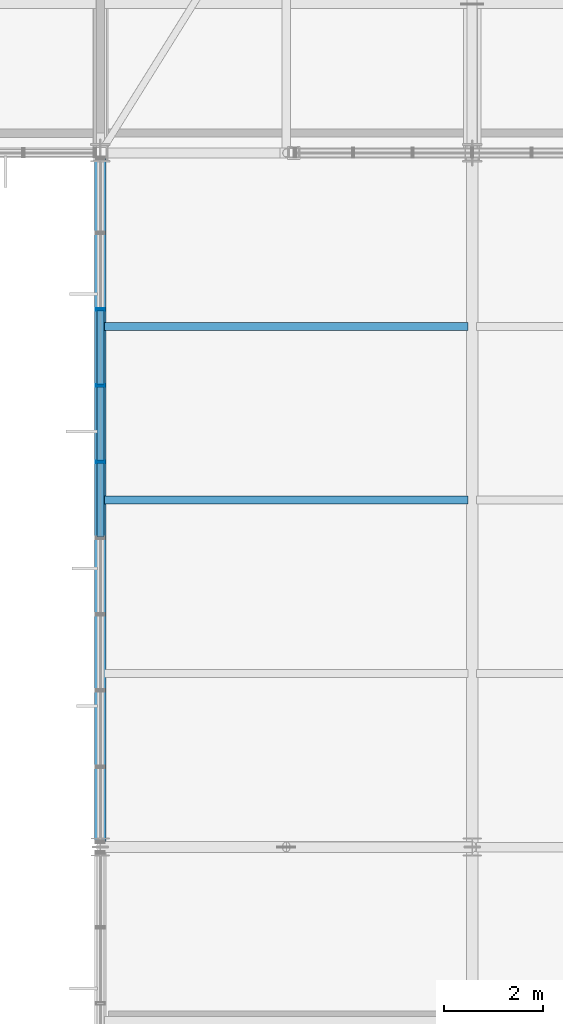
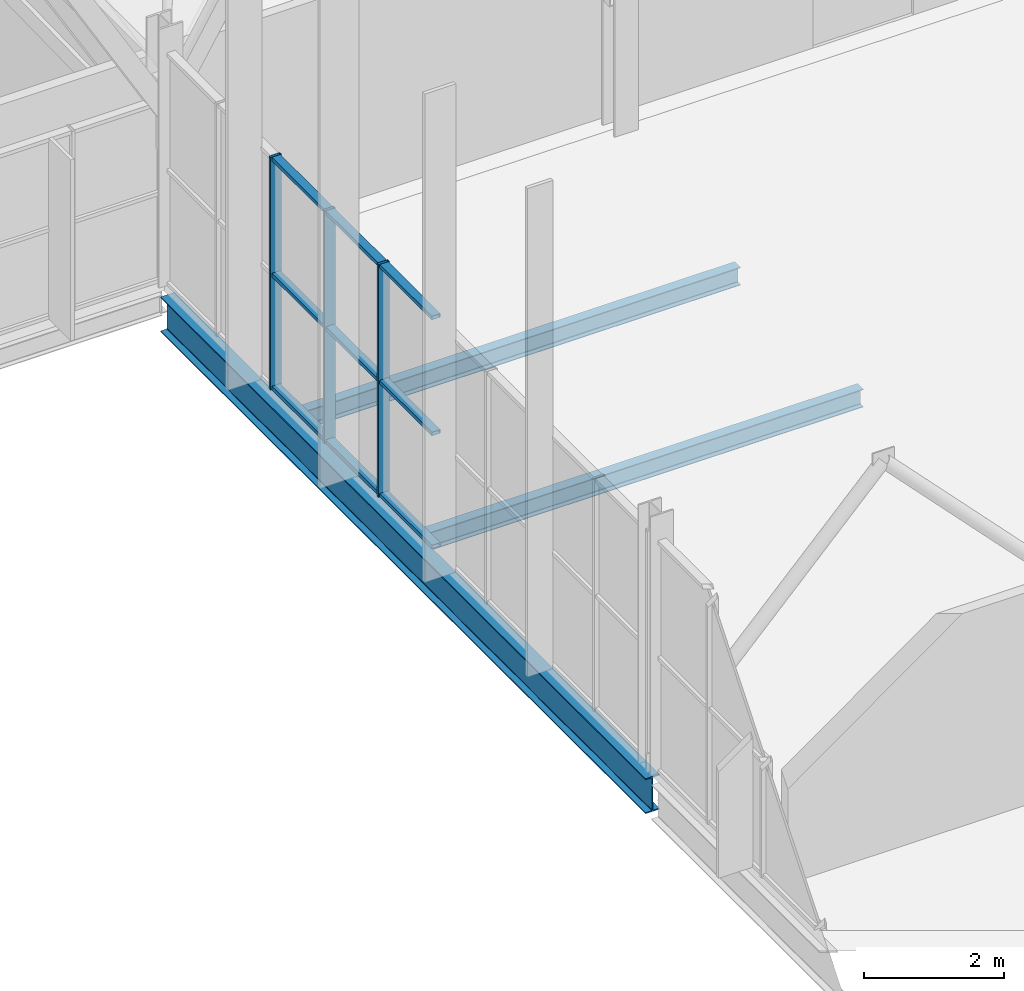
# One storey, part 78 of 324: 12 members, 3 beams, 1 element without a shape of its own.
"""IFC4 building model written with IfcOpenShell, lengths in metres."""

from ifc_helpers import new_model, si_unit, direction, frame, origin, origin_2d, place, context, subcontext, project, spatial, hollow_rectangle, i_section, extrude, material, layer, layer_set, material_profile, profile_set, type_object, element, aggregate, save


model = new_model("IFC4")

# Units and contexts
model_context = context("Model", 3, precision=1e-05, world=origin(), true_north=direction((0.0, 1.0)))
body_context = subcontext(model_context, "Body", "Model", "MODEL_VIEW")
ifc_project = project(units=[si_unit("LENGTHUNIT", "METRE"), si_unit("AREAUNIT", "SQUARE_METRE"), si_unit("VOLUMEUNIT", "CUBIC_METRE"), si_unit("PLANEANGLEUNIT", "RADIAN"), si_unit("MASSUNIT", "GRAM", prefix="KILO")], contexts=[model_context])

# Site, building, storey
site_placement = place(None, origin())
site = spatial("IfcSite", under=ifc_project, at=site_placement, CompositionType="ELEMENT")
building_placement = place(site_placement, origin())
building = spatial("IfcBuilding", under=site, at=building_placement, Name="Solvenia Promenade Tram Depot", CompositionType="ELEMENT")
storey_placement = place(building_placement, frame((0.0, 0.0, 4.5)))
storey = spatial("IfcBuildingStorey", under=building, at=storey_placement, Name="L01", CompositionType="ELEMENT", Elevation=4.5)

# Curtain wall, members
ifc_material_1 = material(Name="Anodized aluminium AW-6063 T6", Category="aluminium")
ifc_layer = layer(ifc_material_1, 0.14990234375, Name="Anodized aluminium AW-6063 T6", Category="aluminium")
ifc_layer_set = layer_set([ifc_layer], Name="Anodized aluminium AW-6063 T6")
curtain_wall_type = type_object("IfcCurtainWallType", Name="CW-Court-1500", PredefinedType="NOTDEFINED", material=ifc_layer_set)
curtain_wall_placement = place(storey_placement, origin())
curtain_wall = element("IfcCurtainWall", 1, at=curtain_wall_placement, inside=storey, type_object=curtain_wall_type, Name="Curtain Wall CW-V2W-L1-2", PredefinedType="NOTDEFINED")
ifc_material_profile_1 = material_profile(ifc_material_1, hollow_rectangle(XDim=0.179931640625, YDim=0.050048828125, WallThickness=0.00390625, at=origin_2d()), Name="ALU-M2", Category="aluminium")
ifc_profile_set_1 = profile_set([ifc_material_profile_1], Name="Anodized aluminium AW-6063 T6")
member_type_1 = type_object("IfcMemberType", Name="CWM-Mullion-2", PredefinedType="MULLION", material=ifc_profile_set_1)
member_1_placement = place(storey_placement, frame((105.0, 59.768798828125, 0.0), z_axis=(0.0, 0.0, 1.0), x_axis=(-1.0, 0.0, 0.0)))
member_1 = element("IfcMember", 2, at=member_1_placement, type_object=member_type_1, Name="CW-5 mullion 6", PredefinedType="MULLION", context=body_context, shape_type="SweptSolid", body=[
    extrude(hollow_rectangle(XDim=0.179931640625, YDim=0.050048828125, WallThickness=0.00390625, at=origin_2d()), origin(), (0.0, 0.0, 1.0), 4.050048828125),
])
member_2_placement = place(storey_placement, frame((105.0, 61.306640625, 0.0), z_axis=(0.0, 0.0, 1.0), x_axis=(-1.0, 0.0, 0.0)))
member_2 = element("IfcMember", 3, at=member_2_placement, type_object=member_type_1, Name="CW-5 mullion 7", PredefinedType="MULLION", context=body_context, shape_type="SweptSolid", body=[
    extrude(hollow_rectangle(XDim=0.179931640625, YDim=0.050048828125, WallThickness=0.00390625, at=origin_2d()), origin(), (0.0, 0.0, 1.0), 4.050048828125),
])
member_3_placement = place(storey_placement, frame((105.0, 62.844482421875, 0.0), z_axis=(0.0, 0.0, 1.0), x_axis=(-1.0, 0.0, 0.0)))
member_3 = element("IfcMember", 4, at=member_3_placement, type_object=member_type_1, Name="CW-5 mullion 8", PredefinedType="MULLION", context=body_context, shape_type="SweptSolid", body=[
    extrude(hollow_rectangle(XDim=0.179931640625, YDim=0.050048828125, WallThickness=0.00390625, at=origin_2d()), origin(), (0.0, 0.0, 1.0), 4.050048828125),
])
ifc_material_profile_2 = material_profile(ifc_material_1, hollow_rectangle(XDim=0.139892578125, YDim=0.06494140625, WallThickness=0.00390625, at=origin_2d()), Name="ALU-T2", Category="aluminium")
ifc_profile_set_2 = profile_set([ifc_material_profile_2], Name="Anodized aluminium AW-6063 T6")
member_type_2 = type_object("IfcMemberType", Name="CWT-Transom-2", PredefinedType="USERDEFINED", material=ifc_profile_set_2)
member_4_placement = place(storey_placement, frame((105.0, 58.256103515625, 0.032470703125), z_axis=(0.0, 1.0, 0.0), x_axis=(-1.0, 0.0, 0.0)))
member_4 = element("IfcMember", 5, at=member_4_placement, type_object=member_type_2, Name="CW-5 transom 5.1", ObjectType="TRANSOM", PredefinedType="USERDEFINED", context=body_context, shape_type="SweptSolid", body=[
    extrude(hollow_rectangle(XDim=0.139892578125, YDim=0.06494140625, WallThickness=0.00390625, at=origin_2d()), origin(), (0.0, 0.0, 1.0), 1.48779296875),
])
member_5_placement = place(storey_placement, frame((105.0, 58.256103515625, 2.0), z_axis=(0.0, 1.0, 0.0), x_axis=(-1.0, 0.0, 0.0)))
member_5 = element("IfcMember", 6, at=member_5_placement, type_object=member_type_2, Name="CW-5 transom 5.2", ObjectType="TRANSOM", PredefinedType="USERDEFINED", context=body_context, shape_type="SweptSolid", body=[
    extrude(hollow_rectangle(XDim=0.139892578125, YDim=0.06494140625, WallThickness=0.00390625, at=origin_2d()), origin(), (0.0, 0.0, 1.0), 1.48779296875),
])
member_6_placement = place(storey_placement, frame((105.0, 58.256103515625, 4.017578125), z_axis=(0.0, 1.0, 0.0), x_axis=(-1.0, 0.0, 0.0)))
member_6 = element("IfcMember", 7, at=member_6_placement, type_object=member_type_2, Name="CW-5 transom 5.3", ObjectType="TRANSOM", PredefinedType="USERDEFINED", context=body_context, shape_type="SweptSolid", body=[
    extrude(hollow_rectangle(XDim=0.139892578125, YDim=0.06494140625, WallThickness=0.00390625, at=origin_2d()), origin(), (0.0, 0.0, 1.0), 1.48779296875),
])
member_7_placement = place(storey_placement, frame((105.0, 59.7939453125, 0.032470703125), z_axis=(0.0, 1.0, 0.0), x_axis=(-1.0, 0.0, 0.0)))
member_7 = element("IfcMember", 8, at=member_7_placement, type_object=member_type_2, Name="CW-5 transom 6.1", ObjectType="TRANSOM", PredefinedType="USERDEFINED", context=body_context, shape_type="SweptSolid", body=[
    extrude(hollow_rectangle(XDim=0.139892578125, YDim=0.06494140625, WallThickness=0.00390625, at=origin_2d()), origin(), (0.0, 0.0, 1.0), 1.48779296875),
])
member_8_placement = place(storey_placement, frame((105.0, 59.7939453125, 2.0), z_axis=(0.0, 1.0, 0.0), x_axis=(-1.0, 0.0, 0.0)))
member_8 = element("IfcMember", 9, at=member_8_placement, type_object=member_type_2, Name="CW-5 transom 6.2", ObjectType="TRANSOM", PredefinedType="USERDEFINED", context=body_context, shape_type="SweptSolid", body=[
    extrude(hollow_rectangle(XDim=0.139892578125, YDim=0.06494140625, WallThickness=0.00390625, at=origin_2d()), origin(), (0.0, 0.0, 1.0), 1.48779296875),
])
member_9_placement = place(storey_placement, frame((105.0, 59.7939453125, 4.017578125), z_axis=(0.0, 1.0, 0.0), x_axis=(-1.0, 0.0, 0.0)))
member_9 = element("IfcMember", 10, at=member_9_placement, type_object=member_type_2, Name="CW-5 transom 6.3", ObjectType="TRANSOM", PredefinedType="USERDEFINED", context=body_context, shape_type="SweptSolid", body=[
    extrude(hollow_rectangle(XDim=0.139892578125, YDim=0.06494140625, WallThickness=0.00390625, at=origin_2d()), origin(), (0.0, 0.0, 1.0), 1.48779296875),
])
member_10_placement = place(storey_placement, frame((105.0, 61.331787109375, 0.032470703125), z_axis=(0.0, 1.0, 0.0), x_axis=(-1.0, 0.0, 0.0)))
member_10 = element("IfcMember", 11, at=member_10_placement, type_object=member_type_2, Name="CW-5 transom 7.1", ObjectType="TRANSOM", PredefinedType="USERDEFINED", context=body_context, shape_type="SweptSolid", body=[
    extrude(hollow_rectangle(XDim=0.139892578125, YDim=0.06494140625, WallThickness=0.00390625, at=origin_2d()), origin(), (0.0, 0.0, 1.0), 1.487548828125),
])
member_11_placement = place(storey_placement, frame((105.0, 61.331787109375, 2.0), z_axis=(0.0, 1.0, 0.0), x_axis=(-1.0, 0.0, 0.0)))
member_11 = element("IfcMember", 12, at=member_11_placement, type_object=member_type_2, Name="CW-5 transom 7.2", ObjectType="TRANSOM", PredefinedType="USERDEFINED", context=body_context, shape_type="SweptSolid", body=[
    extrude(hollow_rectangle(XDim=0.139892578125, YDim=0.06494140625, WallThickness=0.00390625, at=origin_2d()), origin(), (0.0, 0.0, 1.0), 1.487548828125),
])
member_12_placement = place(storey_placement, frame((105.0, 61.331787109375, 4.017578125), z_axis=(0.0, 1.0, 0.0), x_axis=(-1.0, 0.0, 0.0)))
member_12 = element("IfcMember", 13, at=member_12_placement, type_object=member_type_2, Name="CW-5 transom 7.3", ObjectType="TRANSOM", PredefinedType="USERDEFINED", context=body_context, shape_type="SweptSolid", body=[
    extrude(hollow_rectangle(XDim=0.139892578125, YDim=0.06494140625, WallThickness=0.00390625, at=origin_2d()), origin(), (0.0, 0.0, 1.0), 1.487548828125),
])
aggregate(curtain_wall, [member_1, member_2, member_3, member_4, member_5, member_6, member_7, member_8, member_9, member_10, member_11, member_12])

# Beams
ifc_material_2 = material(Name="Structural steel ASTM A992 Gr. 50", Category="steel")
ifc_material_profile_3 = material_profile(ifc_material_2, i_section(OverallWidth=0.22900390625, OverallDepth=0.612060546875, WebThickness=0.011962890625, FlangeThickness=0.01953125, FilletRadius=0.014892578125, at=origin_2d()), Name="W610x125", Category="steel")
ifc_profile_set_3 = profile_set([ifc_material_profile_3], Name="Structural steel ASTM A992 Gr. 50")
beam_type_1 = type_object("IfcBeamType", Name="Gird-W610x125", PredefinedType="BEAM", material=ifc_profile_set_3)
beam_placement = place(storey_placement, frame((105.0, 52.0849609375, -0.5458984375), z_axis=(0.0, 1.0, 0.0), x_axis=(-1.0, 0.0, 0.0)))
element("IfcBeam", 14, at=beam_placement, inside=storey, type_object=beam_type_1, Name="Transverse Girder BM-L01-0142", PredefinedType="BEAM", context=body_context, shape_type="SweptSolid", body=[
    extrude(i_section(OverallWidth=0.22900390625, OverallDepth=0.612060546875, WebThickness=0.011962890625, FlangeThickness=0.01953125, FilletRadius=0.014892578125, at=origin_2d()), origin(), (0.0, 0.0, 1.0), 13.830078125),
])
ifc_material_profile_4 = material_profile(ifc_material_2, i_section(OverallWidth=0.166015625, OverallDepth=0.31298828125, WebThickness=0.006591796875, FlangeThickness=0.01123046875, FilletRadius=0.010009765625, at=origin_2d()), Name="W310x45", Category="steel")
ifc_profile_set_4 = profile_set([ifc_material_profile_4], Name="Structural steel ASTM A992 Gr. 50")
beam_type_2 = type_object("IfcBeamType", Name="Joist-W310x45", PredefinedType="JOIST", material=ifc_profile_set_4)
for number, where, z_axis, x_axis, name in (
    (15, (105.0849609375, 59.0, -0.396484375), (1.0, 0.0, 0.0), (0.0, 1.0, 0.0), "Secondary Floor Joist BM-L01-0163"),
    (16, (105.0849609375, 62.5, -0.396484375), (1.0, 0.0, 0.0), (0.0, 1.0, 0.0), "Secondary Floor Joist BM-L01-0164"),
):
    element("IfcBeam", number, at=place(storey_placement, frame(where, z_axis=z_axis, x_axis=x_axis)), inside=storey, type_object=beam_type_2, Name=name, PredefinedType="JOIST", context=body_context, shape_type="SweptSolid", body=[
        extrude(i_section(OverallWidth=0.166015625, OverallDepth=0.31298828125, WebThickness=0.006591796875, FlangeThickness=0.01123046875, FilletRadius=0.010009765625, at=origin_2d()), origin(), (0.0, 0.0, 1.0), 7.330078125),
    ])

save(model, "model.ifc")
